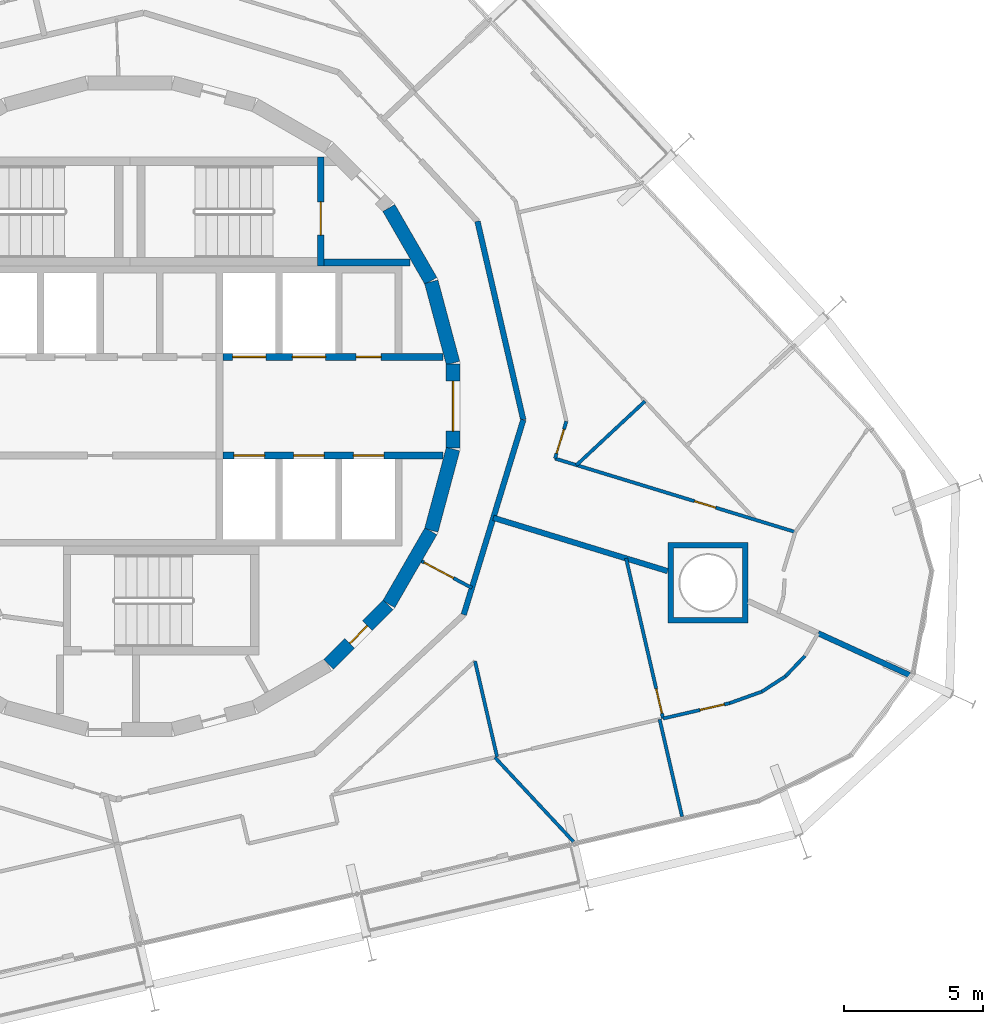
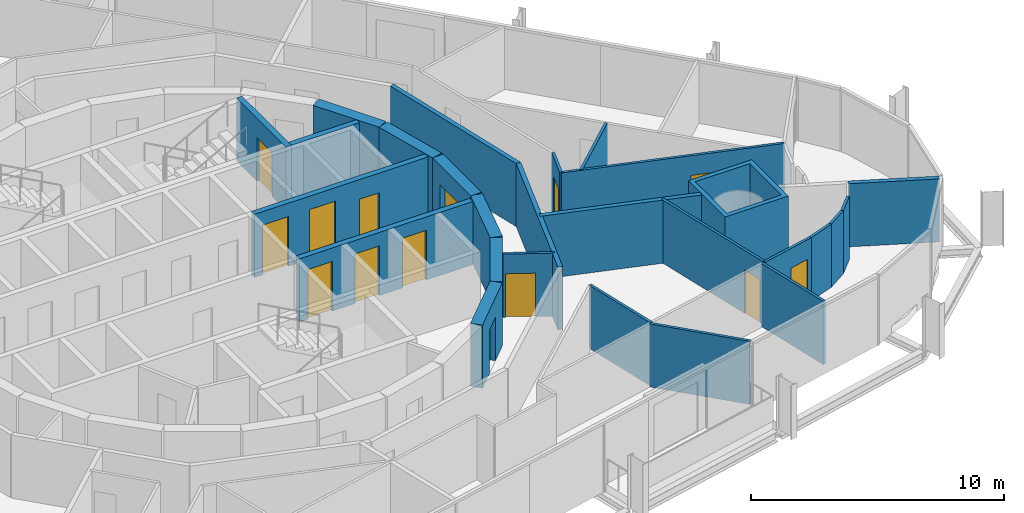
# One storey, part 14 of 18: 27 walls, 14 doors, 14 openings.
"""IFC4 building model written with IfcOpenShell, lengths in metres."""

from ifc_helpers import new_model, si_unit, direction, frame, frame_2d, origin, place, context, subcontext, project, spatial, polyline, rectangle, outline, extrude, material, layer, layer_set, type_object, element, fill, save


model = new_model("IFC4")

# Units and contexts
model_context = context("Model", 3, precision=1e-05, world=origin(), true_north=direction((0.0, 1.0)))
body_context = subcontext(model_context, "Body", "Model", "MODEL_VIEW")
ifc_project = project(units=[si_unit("LENGTHUNIT", "METRE"), si_unit("AREAUNIT", "SQUARE_METRE"), si_unit("VOLUMEUNIT", "CUBIC_METRE"), si_unit("PLANEANGLEUNIT", "RADIAN"), si_unit("MASSUNIT", "GRAM", prefix="KILO")], contexts=[model_context])

# Site, building, storey
site_placement = place(None, origin())
site = spatial("IfcSite", under=ifc_project, at=site_placement, CompositionType="ELEMENT")
building_placement = place(site_placement, origin())
building = spatial("IfcBuilding", under=site, at=building_placement, Name="Spindle Arch Residences", CompositionType="ELEMENT")
storey_placement = place(building_placement, frame((0.0, 0.0, 141.39990234375)))
storey = spatial("IfcBuildingStorey", under=building, at=storey_placement, Name="L35", CompositionType="ELEMENT", Elevation=141.39990234375)

# Wall, opening, door
ifc_material_1 = material(Name="Concrete C50/60", Category="concrete")
ifc_layer_1 = layer(ifc_material_1, 0.5)
ifc_layer_set_1 = layer_set([ifc_layer_1], Name="Core outline wall 500")
wall_type_1 = type_object("IfcWallType", Name="Core outline wall 500", PredefinedType="SHEAR", material=ifc_layer_set_1)
wall_1_placement = place(storey_placement, frame((7.163818359375, -9.30810546875, 0.0), z_axis=(0.0, 0.0, 1.0), x_axis=(0.707106781187, 0.707106781187, 0.0)))
wall_1 = element("IfcWall", 1, at=wall_1_placement, inside=storey, type_object=wall_type_1, Name="Core outline wall 3", PredefinedType="SHEAR", context=body_context, shape_type="SweptSolid", body=[
    extrude(rectangle(XDim=3.032470703125, YDim=0.5, at=frame_2d((1.51611328125, 0.0))), origin(), (0.0, 0.0, 1.0), 3.050048828125),
])
opening_1_placement = place(wall_1_placement, frame((1.06640625, 0.0, 0.0)))
opening_1 = element("IfcOpeningElement", 2, at=opening_1_placement, cuts=wall_1, Name="Opening R3C0-WD07", PredefinedType="OPENING", context=body_context, shape_type="SweptSolid", body=[
    extrude(rectangle(XDim=0.89990234375, YDim=2.10009765625, at=frame_2d((0.449951171875, 1.050048828125))), frame((0.0, 0.260009765625, 0.0), z_axis=(0.0, -1.0, 0.0), x_axis=(1.0, 0.0, 0.0)), (0.0, 0.0, 1.0), 0.52001953125),
])
ifc_material_2 = material(Name="Steel, fire-resisting door", Category="steel")
door_type_1 = type_object("IfcDoorType", Name="Service room door 900x2100", OperationType="SINGLE_SWING_LEFT", PredefinedType="DOOR", material=ifc_material_2)
door_1_placement = place(opening_1_placement, origin())
door_1 = element("IfcDoor", 3, at=door_1_placement, inside=storey, type_object=door_type_1, Name="Service room door R3C0-WD07", OperationType="SINGLE_SWING_RIGHT", OverallHeight=2.10009765625, OverallWidth=0.89990234375, PredefinedType="DOOR", context=body_context, shape_type="SweptSolid", body=[
    extrude(rectangle(XDim=0.89990234375, YDim=2.10009765625, at=frame_2d((0.449951171875, 1.050048828125))), frame((0.0, 0.02490234375, 0.0), z_axis=(0.0, -1.0, 0.0), x_axis=(1.0, 0.0, 0.0)), (0.0, 0.0, 1.0), 0.050048828125),
])
fill(opening_1, door_1)

# Walls
for number, where, z_axis, x_axis, name in (
    (4, (9.32861328125, -7.13671875, 0.0), (0.0, 0.0, 1.0), (0.500087131594, 0.865975092491, 0.0), "Core outline wall 4"),
    (5, (10.858154296875, -4.479248046875, 0.0), (0.0, 0.0, 1.0), (0.258734743916, 0.965948410781, 0.0), "Core outline wall 5"),
):
    element("IfcWall", number, at=place(storey_placement, frame(where, z_axis=z_axis, x_axis=x_axis)), inside=storey, type_object=wall_type_1, Name=name, PredefinedType="SHEAR", context=body_context, shape_type="SweptSolid", body=[
        extrude(rectangle(XDim=3.03271484375, YDim=0.5, at=frame_2d((1.516357421875, 0.0))), origin(), (0.0, 0.0, 1.0), 3.050048828125),
    ])

# Wall, opening, door
wall_2_placement = place(storey_placement, frame((11.647216796875, -1.516357421875, 0.0), z_axis=(0.0, 0.0, 1.0), x_axis=(0.0, 1.0, 0.0)))
wall_2 = element("IfcWall", 6, at=wall_2_placement, inside=storey, type_object=wall_type_1, Name="Core outline wall 6", PredefinedType="SHEAR", context=body_context, shape_type="SweptSolid", body=[
    extrude(rectangle(XDim=3.03271484375, YDim=0.5, at=frame_2d((1.516357421875, 0.0))), origin(), (0.0, 0.0, 1.0), 3.050048828125),
])
opening_2_placement = place(wall_2_placement, frame((0.6162109375, 0.0, 0.0)))
opening_2 = element("IfcOpeningElement", 7, at=opening_2_placement, cuts=wall_2, Name="Opening R3C0-FE01", PredefinedType="OPENING", context=body_context, shape_type="SweptSolid", body=[
    extrude(rectangle(XDim=1.800048828125, YDim=2.10009765625, at=frame_2d((0.89990234375, 1.050048828125))), frame((0.0, 0.260009765625, 0.0), z_axis=(0.0, -1.0, 0.0), x_axis=(1.0, 0.0, 0.0)), (0.0, 0.0, 1.0), 0.52001953125),
])
ifc_material_3 = material(Name="Steel, fire-resisting door", Category="steel")
door_type_2 = type_object("IfcDoorType", Name="Fire-lift lobby door 1800x2100", OperationType="DOUBLE_DOOR_SINGLE_SWING", PredefinedType="DOOR", material=ifc_material_3)
door_2_placement = place(opening_2_placement, origin())
door_2 = element("IfcDoor", 8, at=door_2_placement, inside=storey, type_object=door_type_2, Name="Fire-lift lobby door R3C0-FE01", OperationType="DOUBLE_DOOR_SINGLE_SWING", OverallHeight=2.10009765625, OverallWidth=1.800048828125, PredefinedType="DOOR", context=body_context, shape_type="SweptSolid", body=[
    extrude(rectangle(XDim=1.800048828125, YDim=2.10009765625, at=frame_2d((0.89990234375, 1.050048828125))), frame((0.0, 0.02490234375, 0.0), z_axis=(0.0, -1.0, 0.0), x_axis=(1.0, 0.0, 0.0)), (0.0, 0.0, 1.0), 0.050048828125),
])
fill(opening_2, door_2)

# Walls
for number, where, z_axis, x_axis, name in (
    (9, (11.642822265625, 1.5498046875, 0.0), (0.0, 0.0, 1.0), (-0.258734743916, 0.965948410781, 0.0), "Core outline wall 7"),
    (10, (10.84521484375, 4.510498046875, 0.0), (0.0, 0.0, 1.0), (-0.500087131594, 0.865975092491, 0.0), "Core outline wall 8"),
):
    element("IfcWall", number, at=place(storey_placement, frame(where, z_axis=z_axis, x_axis=x_axis)), inside=storey, type_object=wall_type_1, Name=name, PredefinedType="SHEAR", context=body_context, shape_type="SweptSolid", body=[
        extrude(rectangle(XDim=3.03271484375, YDim=0.5, at=frame_2d((1.516357421875, 0.0))), origin(), (0.0, 0.0, 1.0), 3.050048828125),
    ])

# Wall, opening, door
ifc_material_4 = material(Name="Plasterboard on steel studs", Category="steel")
ifc_layer_2 = layer(ifc_material_4, 0.1201171875)
ifc_layer_set_2 = layer_set([ifc_layer_2], Name="Corridor division wall 120")
wall_type_2 = type_object("IfcWallType", Name="Corridor division wall 120", PredefinedType="PARTITIONING", material=ifc_layer_set_2)
wall_3_placement = place(storey_placement, frame((10.510986328125, -5.5888671875, 0.0), z_axis=(0.0, 0.0, 1.0), x_axis=(0.882987820808, -0.469395897196, 0.0)))
wall_3 = element("IfcWall", 11, at=wall_3_placement, inside=storey, type_object=wall_type_2, Name="Corridor division wall R3C0-W002", PredefinedType="PARTITIONING", context=body_context, shape_type="SweptSolid", body=[
    extrude(rectangle(XDim=2.0517578125, YDim=0.1201171875, at=frame_2d((1.02587890625, 0.0))), origin(), (0.0, 0.0, 1.0), 3.050048828125),
])
opening_3_placement = place(wall_3_placement, frame((0.10009765625, 0.0, 0.0)))
opening_3 = element("IfcOpeningElement", 12, at=opening_3_placement, cuts=wall_3, Name="Opening R3C0-CD02", PredefinedType="OPENING", context=body_context, shape_type="SweptSolid", body=[
    extrude(rectangle(XDim=1.199951171875, YDim=2.10009765625, at=frame_2d((0.60009765625, 1.050048828125))), frame((0.0, 0.070068359375, 0.0), z_axis=(0.0, -1.0, 0.0), x_axis=(1.0, 0.0, 0.0)), (0.0, 0.0, 1.0), 0.14013671875),
])
ifc_material_5 = material(Name="Steel, fire-resisting door", Category="steel")
door_type_3 = type_object("IfcDoorType", Name="Corridor division door 1200x2100", OperationType="NOTDEFINED", PredefinedType="DOOR", material=ifc_material_5)
door_3_placement = place(opening_3_placement, origin())
door_3 = element("IfcDoor", 13, at=door_3_placement, inside=storey, type_object=door_type_3, Name="Corridor division door R3C0-CD02", OperationType="DOUBLE_DOOR_SINGLE_SWING", OverallHeight=2.10009765625, OverallWidth=1.199951171875, PredefinedType="DOOR", context=body_context, shape_type="SweptSolid", body=[
    extrude(rectangle(XDim=1.199951171875, YDim=2.10009765625, at=frame_2d((0.60009765625, 1.050048828125))), frame((0.0, 0.02490234375, 0.0), z_axis=(0.0, -1.0, 0.0), x_axis=(1.0, 0.0, 0.0)), (0.0, 0.0, 1.0), 0.050048828125),
])
fill(opening_3, door_3)

# Walls
ifc_material_6 = material(Name="Calcium silicate block, plastered")
ifc_layer_3 = layer(ifc_material_6, 0.199951171875)
ifc_layer_set_3 = layer_set([ifc_layer_3], Name="Corridor wall 200")
wall_type_3 = type_object("IfcWallType", Name="Corridor wall 200", PredefinedType="STANDARD", material=ifc_layer_set_3)
wall_4_placement = place(storey_placement, frame((12.028076171875, -7.51611328125, 0.0), z_axis=(0.0, 0.0, 1.0), x_axis=(0.292365533182, 0.956306642771, 0.0)))
element("IfcWall", 14, at=wall_4_placement, inside=storey, type_object=wall_type_3, Name="Corridor wall R3C0-W004", PredefinedType="STANDARD", context=body_context, shape_type="SweptSolid", body=[
    extrude(rectangle(XDim=7.341796875, YDim=0.199951171875, at=frame_2d((3.6708984375, 0.0))), origin(), (0.0, 0.0, 1.0), 3.050048828125),
])
wall_5_placement = place(storey_placement, frame((14.174560546875, -0.4951171875, 0.0), z_axis=(0.0, 0.0, 1.0), x_axis=(-0.224922649383, 0.974376622151, 0.0)))
element("IfcWall", 15, at=wall_5_placement, inside=storey, type_object=wall_type_3, Name="Corridor wall R3C0-W005", PredefinedType="STANDARD", context=body_context, shape_type="SweptSolid", body=[
    extrude(rectangle(XDim=7.342041015625, YDim=0.199951171875, at=frame_2d((3.6708984375, 0.0))), origin(), (0.0, 0.0, 1.0), 3.050048828125),
])

# Wall, openings, doors
ifc_material_7 = material(Name="Concrete C40/50", Category="concrete")
ifc_layer_4 = layer(ifc_material_7, 0.25)
ifc_layer_set_4 = layer_set([ifc_layer_4], Name="Fire-lift lobby wall 250")
wall_type_4 = type_object("IfcWallType", Name="Fire-lift lobby wall 250", PredefinedType="SHEAR", material=ifc_layer_set_4)
wall_6_placement = place(storey_placement, frame((3.35009765625, 1.77490234375, 0.0), z_axis=(0.0, 0.0, 1.0), x_axis=(1.0, 0.0, 0.0)))
wall_6 = element("IfcWall", 16, at=wall_6_placement, inside=storey, type_object=wall_type_4, Name="Lift shaft front wall NE", PredefinedType="SHEAR", context=body_context, shape_type="SweptSolid", body=[
    extrude(rectangle(XDim=7.929931640625, YDim=0.25, at=frame_2d((3.96484375, 0.0))), origin(), (0.0, 0.0, 1.0), 3.050048828125),
])
opening_4_placement = place(wall_6_placement, frame((0.35009765625, 0.0, 0.0)))
opening_4 = element("IfcOpeningElement", 17, at=opening_4_placement, cuts=wall_6, Name="Opening R3C0-SLD01", PredefinedType="OPENING", context=body_context, shape_type="SweptSolid", body=[
    extrude(rectangle(XDim=1.199951171875, YDim=2.39990234375, at=frame_2d((0.60009765625, 1.199951171875))), frame((0.0, 0.135009765625, 0.0), z_axis=(0.0, -1.0, 0.0), x_axis=(1.0, 0.0, 0.0)), (0.0, 0.0, 1.0), 0.27001953125),
])
opening_5_placement = place(wall_6_placement, frame((2.5, 0.0, 0.0)))
opening_5 = element("IfcOpeningElement", 18, at=opening_5_placement, cuts=wall_6, Name="Opening R3C0-SLD02", PredefinedType="OPENING", context=body_context, shape_type="SweptSolid", body=[
    extrude(rectangle(XDim=1.199951171875, YDim=2.39990234375, at=frame_2d((0.60009765625, 1.199951171875))), frame((0.0, 0.135009765625, 0.0), z_axis=(0.0, -1.0, 0.0), x_axis=(1.0, 0.0, 0.0)), (0.0, 0.0, 1.0), 0.27001953125),
])
opening_6_placement = place(wall_6_placement, frame((4.800048828125, 0.0, 0.0)))
opening_6 = element("IfcOpeningElement", 19, at=opening_6_placement, cuts=wall_6, Name="Opening R3C0-WD03", PredefinedType="OPENING", context=body_context, shape_type="SweptSolid", body=[
    extrude(rectangle(XDim=0.89990234375, YDim=2.10009765625, at=frame_2d((0.449951171875, 1.050048828125))), frame((0.0, 0.135009765625, 0.0), z_axis=(0.0, -1.0, 0.0), x_axis=(1.0, 0.0, 0.0)), (0.0, 0.0, 1.0), 0.27001953125),
])
ifc_material_8 = material(Name="Steel, fire-resisting landing door", Category="steel")
door_type_4 = type_object("IfcDoorType", Name="Service lift landing door 1200x2400", OperationType="DOUBLE_DOOR_SLIDING", PredefinedType="DOOR", material=ifc_material_8)
door_4_placement = place(opening_4_placement, origin())
door_4 = element("IfcDoor", 20, at=door_4_placement, inside=storey, type_object=door_type_4, Name="Service lift landing door R3C0-SLD01", OperationType="DOUBLE_DOOR_SLIDING", OverallHeight=2.39990234375, OverallWidth=1.199951171875, PredefinedType="DOOR", context=body_context, shape_type="SweptSolid", body=[
    extrude(rectangle(XDim=1.199951171875, YDim=2.39990234375, at=frame_2d((0.60009765625, 1.199951171875))), frame((0.0, 0.02490234375, 0.0), z_axis=(0.0, -1.0, 0.0), x_axis=(1.0, 0.0, 0.0)), (0.0, 0.0, 1.0), 0.050048828125),
])
fill(opening_4, door_4)
door_5_placement = place(opening_5_placement, origin())
door_5 = element("IfcDoor", 21, at=door_5_placement, inside=storey, type_object=door_type_4, Name="Service lift landing door R3C0-SLD02", OperationType="DOUBLE_DOOR_SLIDING", OverallHeight=2.39990234375, OverallWidth=1.199951171875, PredefinedType="DOOR", context=body_context, shape_type="SweptSolid", body=[
    extrude(rectangle(XDim=1.199951171875, YDim=2.39990234375, at=frame_2d((0.60009765625, 1.199951171875))), frame((0.0, 0.02490234375, 0.0), z_axis=(0.0, -1.0, 0.0), x_axis=(1.0, 0.0, 0.0)), (0.0, 0.0, 1.0), 0.050048828125),
])
fill(opening_5, door_5)
door_6_placement = place(opening_6_placement, origin())
door_6 = element("IfcDoor", 22, at=door_6_placement, inside=storey, type_object=door_type_1, Name="Service room door R3C0-WD03", OperationType="SINGLE_SWING_RIGHT", OverallHeight=2.10009765625, OverallWidth=0.89990234375, PredefinedType="DOOR", context=body_context, shape_type="SweptSolid", body=[
    extrude(rectangle(XDim=0.89990234375, YDim=2.10009765625, at=frame_2d((0.449951171875, 1.050048828125))), frame((0.0, 0.02490234375, 0.0), z_axis=(0.0, -1.0, 0.0), x_axis=(1.0, 0.0, 0.0)), (0.0, 0.0, 1.0), 0.050048828125),
])
fill(opening_6, door_6)

ifc_material_9 = material(Name="Concrete C50/60", Category="concrete")
ifc_layer_5 = layer(ifc_material_9, 0.25)
ifc_layer_set_5 = layer_set([ifc_layer_5], Name="Fire-lift shaft wall 250")
wall_type_5 = type_object("IfcWallType", Name="Fire-lift shaft wall 250", PredefinedType="SHEAR", material=ifc_layer_set_5)
wall_7_placement = place(storey_placement, frame((3.35009765625, -1.77490234375, 0.0), z_axis=(0.0, 0.0, 1.0), x_axis=(1.0, 0.0, 0.0)))
wall_7 = element("IfcWall", 23, at=wall_7_placement, inside=storey, type_object=wall_type_5, Name="Lift shaft front wall SE", PredefinedType="SHEAR", context=body_context, shape_type="SweptSolid", body=[
    extrude(rectangle(XDim=7.929931640625, YDim=0.25, at=frame_2d((3.96484375, 0.0))), origin(), (0.0, 0.0, 1.0), 3.050048828125),
])
opening_7_placement = place(wall_7_placement, frame((0.39990234375, 0.0, 0.0)))
opening_7 = element("IfcOpeningElement", 24, at=opening_7_placement, cuts=wall_7, Name="Opening R3C0-FLD01", PredefinedType="OPENING", context=body_context, shape_type="SweptSolid", body=[
    extrude(rectangle(XDim=1.10009765625, YDim=2.39990234375, at=frame_2d((0.550048828125, 1.199951171875))), frame((0.0, 0.135009765625, 0.0), z_axis=(0.0, -1.0, 0.0), x_axis=(1.0, 0.0, 0.0)), (0.0, 0.0, 1.0), 0.27001953125),
])
opening_8_placement = place(wall_7_placement, frame((2.550048828125, 0.0, 0.0)))
opening_8 = element("IfcOpeningElement", 25, at=opening_8_placement, cuts=wall_7, Name="Opening R3C0-FLD02", PredefinedType="OPENING", context=body_context, shape_type="SweptSolid", body=[
    extrude(rectangle(XDim=1.10009765625, YDim=2.39990234375, at=frame_2d((0.550048828125, 1.199951171875))), frame((0.0, 0.135009765625, 0.0), z_axis=(0.0, -1.0, 0.0), x_axis=(1.0, 0.0, 0.0)), (0.0, 0.0, 1.0), 0.27001953125),
])
opening_9_placement = place(wall_7_placement, frame((4.699951171875, 0.0, 0.0)))
opening_9 = element("IfcOpeningElement", 26, at=opening_9_placement, cuts=wall_7, Name="Opening R3C0-FLD03", PredefinedType="OPENING", context=body_context, shape_type="SweptSolid", body=[
    extrude(rectangle(XDim=1.10009765625, YDim=2.39990234375, at=frame_2d((0.550048828125, 1.199951171875))), frame((0.0, 0.135009765625, 0.0), z_axis=(0.0, -1.0, 0.0), x_axis=(1.0, 0.0, 0.0)), (0.0, 0.0, 1.0), 0.27001953125),
])
ifc_material_10 = material(Name="Steel, fire-resisting landing door", Category="steel")
door_type_5 = type_object("IfcDoorType", Name="Fire-fighting lift landing door 1100x2400", OperationType="DOUBLE_DOOR_SLIDING", PredefinedType="DOOR", material=ifc_material_10)
door_7_placement = place(opening_7_placement, origin())
door_7 = element("IfcDoor", 27, at=door_7_placement, inside=storey, type_object=door_type_5, Name="Fire-fighting lift landing door R3C0-FLD01", OperationType="DOUBLE_DOOR_SLIDING", OverallHeight=2.39990234375, OverallWidth=1.10009765625, PredefinedType="DOOR", context=body_context, shape_type="SweptSolid", body=[
    extrude(rectangle(XDim=1.10009765625, YDim=2.39990234375, at=frame_2d((0.550048828125, 1.199951171875))), frame((0.0, 0.02490234375, 0.0), z_axis=(0.0, -1.0, 0.0), x_axis=(1.0, 0.0, 0.0)), (0.0, 0.0, 1.0), 0.050048828125),
])
fill(opening_7, door_7)
door_8_placement = place(opening_8_placement, origin())
door_8 = element("IfcDoor", 28, at=door_8_placement, inside=storey, type_object=door_type_5, Name="Fire-fighting lift landing door R3C0-FLD02", OperationType="DOUBLE_DOOR_SLIDING", OverallHeight=2.39990234375, OverallWidth=1.10009765625, PredefinedType="DOOR", context=body_context, shape_type="SweptSolid", body=[
    extrude(rectangle(XDim=1.10009765625, YDim=2.39990234375, at=frame_2d((0.550048828125, 1.199951171875))), frame((0.0, 0.02490234375, 0.0), z_axis=(0.0, -1.0, 0.0), x_axis=(1.0, 0.0, 0.0)), (0.0, 0.0, 1.0), 0.050048828125),
])
fill(opening_8, door_8)
door_9_placement = place(opening_9_placement, origin())
door_9 = element("IfcDoor", 29, at=door_9_placement, inside=storey, type_object=door_type_5, Name="Fire-fighting lift landing door R3C0-FLD03", OperationType="DOUBLE_DOOR_SLIDING", OverallHeight=2.39990234375, OverallWidth=1.10009765625, PredefinedType="DOOR", context=body_context, shape_type="SweptSolid", body=[
    extrude(rectangle(XDim=1.10009765625, YDim=2.39990234375, at=frame_2d((0.550048828125, 1.199951171875))), frame((0.0, 0.02490234375, 0.0), z_axis=(0.0, -1.0, 0.0), x_axis=(1.0, 0.0, 0.0)), (0.0, 0.0, 1.0), 0.050048828125),
])
fill(opening_9, door_9)

# Wall, opening, door
ifc_material_11 = material(Name="Plasterboard on steel studs", Category="steel")
ifc_layer_6 = layer(ifc_material_11, 0.1201171875)
ifc_layer_set_6 = layer_set([ifc_layer_6], Name="Flat partition 120")
wall_type_6 = type_object("IfcWallType", Name="Flat partition 120", PredefinedType="PARTITIONING", material=ifc_layer_set_6)
wall_8_placement = place(storey_placement, frame((23.974853515625, -4.537353515625, 0.0), z_axis=(0.0, 0.0, 1.0), x_axis=(-0.956300480156, 0.292385689892, 0.0)))
wall_8 = element("IfcWall", 30, at=wall_8_placement, inside=storey, type_object=wall_type_6, Name="Flat partition R3C0-W031", PredefinedType="PARTITIONING", context=body_context, shape_type="SweptSolid", body=[
    extrude(rectangle(XDim=9.053955078125, YDim=0.1201171875, at=frame_2d((4.52685546875, 0.0))), origin(), (0.0, 0.0, 1.0), 3.050048828125),
])
opening_10_placement = place(wall_8_placement, frame((2.99755859375, 0.0, 0.0)))
opening_10 = element("IfcOpeningElement", 31, at=opening_10_placement, cuts=wall_8, Name="Opening R3C0-BD01", PredefinedType="OPENING", context=body_context, shape_type="SweptSolid", body=[
    extrude(rectangle(XDim=0.800048828125, YDim=2.10009765625, at=frame_2d((0.39990234375, 1.050048828125))), frame((0.0, 0.070068359375, 0.0), z_axis=(0.0, -1.0, 0.0), x_axis=(1.0, 0.0, 0.0)), (0.0, 0.0, 1.0), 0.14013671875),
])
ifc_material_12 = material(Name="Timber door set", Category="wood")
door_type_6 = type_object("IfcDoorType", Name="Bathroom door 800x2100", OperationType="NOTDEFINED", PredefinedType="DOOR", material=ifc_material_12)
door_10_placement = place(opening_10_placement, origin())
door_10 = element("IfcDoor", 32, at=door_10_placement, inside=storey, type_object=door_type_6, Name="Bathroom door R3C0-BD01", OperationType="SINGLE_SWING_LEFT", OverallHeight=2.10009765625, OverallWidth=0.800048828125, PredefinedType="DOOR", context=body_context, shape_type="SweptSolid", body=[
    extrude(rectangle(XDim=0.800048828125, YDim=2.10009765625, at=frame_2d((0.39990234375, 1.050048828125))), frame((0.0, 0.02490234375, 0.0), z_axis=(0.0, -1.0, 0.0), x_axis=(1.0, 0.0, 0.0)), (0.0, 0.0, 1.0), 0.050048828125),
])
fill(opening_10, door_10)

wall_9_placement = place(storey_placement, frame((15.316650390625, -1.89013671875, 0.0), z_axis=(0.0, 0.0, 1.0), x_axis=(0.292360095486, 0.956308305186, 0.0)))
wall_9 = element("IfcWall", 33, at=wall_9_placement, inside=storey, type_object=wall_type_6, Name="Flat partition R3C0-W032", PredefinedType="PARTITIONING", context=body_context, shape_type="SweptSolid", body=[
    extrude(rectangle(XDim=1.402099609375, YDim=0.1201171875, at=frame_2d((0.701171875, 0.0))), origin(), (0.0, 0.0, 1.0), 3.050048828125),
])
opening_11_placement = place(wall_9_placement, frame((0.199951171875, 0.0, 0.0)))
opening_11 = element("IfcOpeningElement", 34, at=opening_11_placement, cuts=wall_9, Name="Opening R3C0-ID01", PredefinedType="OPENING", context=body_context, shape_type="SweptSolid", body=[
    extrude(rectangle(XDim=0.89990234375, YDim=2.10009765625, at=frame_2d((0.449951171875, 1.050048828125))), frame((0.0, 0.070068359375, 0.0), z_axis=(0.0, -1.0, 0.0), x_axis=(1.0, 0.0, 0.0)), (0.0, 0.0, 1.0), 0.14013671875),
])
ifc_material_13 = material(Name="Timber door set", Category="wood")
door_type_7 = type_object("IfcDoorType", Name="Room door 900x2100", OperationType="NOTDEFINED", PredefinedType="DOOR", material=ifc_material_13)
door_11_placement = place(opening_11_placement, origin())
door_11 = element("IfcDoor", 35, at=door_11_placement, inside=storey, type_object=door_type_7, Name="Room door R3C0-ID01", OperationType="SINGLE_SWING_LEFT", OverallHeight=2.10009765625, OverallWidth=0.89990234375, PredefinedType="DOOR", context=body_context, shape_type="SweptSolid", body=[
    extrude(rectangle(XDim=0.89990234375, YDim=2.10009765625, at=frame_2d((0.449951171875, 1.050048828125))), frame((0.0, 0.02490234375, 0.0), z_axis=(0.0, -1.0, 0.0), x_axis=(1.0, 0.0, 0.0)), (0.0, 0.0, 1.0), 0.050048828125),
])
fill(opening_11, door_11)

# Walls
wall_10_placement = place(storey_placement, frame((16.0908203125, -2.126953125, 0.0), z_axis=(0.0, 0.0, 1.0), x_axis=(0.731389706697, 0.6819597473, 0.0)))
element("IfcWall", 36, at=wall_10_placement, inside=storey, type_object=wall_type_6, Name="Flat partition R3C0-W039", PredefinedType="PARTITIONING", context=body_context, shape_type="SweptSolid", body=[
    extrude(rectangle(XDim=3.37353515625, YDim=0.1201171875, at=frame_2d((1.686767578125, 0.0))), origin(), (0.0, 0.0, 1.0), 3.050048828125),
])
wall_11_placement = place(storey_placement, frame((12.43359375, -9.188720703125, 0.0), z_axis=(0.0, 0.0, 1.0), x_axis=(0.224924972887, -0.974376085796, 0.0)))
element("IfcWall", 37, at=wall_11_placement, inside=storey, type_object=wall_type_6, Name="Flat partition R3C0-W106", PredefinedType="PARTITIONING", context=body_context, shape_type="SweptSolid", body=[
    extrude(rectangle(XDim=3.540771484375, YDim=0.1201171875, at=frame_2d((1.7705078125, 0.0))), origin(), (0.0, 0.0, 1.0), 3.050048828125),
])

# Wall, opening, door
wall_12_placement = place(storey_placement, frame((19.211181640625, -11.2578125, 0.0), z_axis=(0.0, 0.0, 1.0), x_axis=(-0.22499500936, 0.974359915926, 0.0)))
wall_12 = element("IfcWall", 38, at=wall_12_placement, inside=storey, type_object=wall_type_6, Name="Flat partition R3C0-W108", PredefinedType="PARTITIONING", context=body_context, shape_type="SweptSolid", body=[
    extrude(rectangle(XDim=5.92138671875, YDim=0.1201171875, at=frame_2d((2.960693359375, 0.0))), origin(), (0.0, 0.0, 1.0), 3.050048828125),
])
opening_12_placement = place(wall_12_placement, frame((0.199951171875, 0.0, 0.0)))
opening_12 = element("IfcOpeningElement", 39, at=opening_12_placement, cuts=wall_12, Name="Opening R3C0-ID29", PredefinedType="OPENING", context=body_context, shape_type="SweptSolid", body=[
    extrude(rectangle(XDim=0.89990234375, YDim=2.10009765625, at=frame_2d((0.449951171875, 1.050048828125))), frame((0.0, 0.070068359375, 0.0), z_axis=(0.0, -1.0, 0.0), x_axis=(1.0, 0.0, 0.0)), (0.0, 0.0, 1.0), 0.14013671875),
])
door_12_placement = place(opening_12_placement, origin())
door_12 = element("IfcDoor", 40, at=door_12_placement, inside=storey, type_object=door_type_7, Name="Room door R3C0-ID29", OperationType="SINGLE_SWING_RIGHT", OverallHeight=2.10009765625, OverallWidth=0.89990234375, PredefinedType="DOOR", context=body_context, shape_type="SweptSolid", body=[
    extrude(rectangle(XDim=0.89990234375, YDim=2.10009765625, at=frame_2d((0.449951171875, 1.050048828125))), frame((0.0, 0.02490234375, 0.0), z_axis=(0.0, -1.0, 0.0), x_axis=(1.0, 0.0, 0.0)), (0.0, 0.0, 1.0), 0.050048828125),
])
fill(opening_12, door_12)

# Walls
wall_13_placement = place(storey_placement, frame((15.984619140625, -15.697509765625, 0.0), z_axis=(0.0, 0.0, 1.0), x_axis=(-0.681979185924, 0.731371581322, 0.0)))
element("IfcWall", 41, at=wall_13_placement, inside=storey, type_object=wall_type_6, Name="Flat partition R3C0-W109", PredefinedType="PARTITIONING", context=body_context, shape_type="SweptSolid", body=[
    extrude(rectangle(XDim=4.156982421875, YDim=0.1201171875, at=frame_2d((2.07861328125, 0.0))), origin(), (0.0, 0.0, 1.0), 3.050048828125),
])
wall_14_placement = place(storey_placement, frame((19.896240234375, -14.794189453125, 0.0), z_axis=(0.0, 0.0, 1.0), x_axis=(-0.224958568294, 0.974368330023, 0.0)))
element("IfcWall", 42, at=wall_14_placement, inside=storey, type_object=wall_type_6, Name="Flat partition R3C0-W110", PredefinedType="PARTITIONING", context=body_context, shape_type="SweptSolid", body=[
    extrude(rectangle(XDim=3.599853515625, YDim=0.1201171875, at=frame_2d((1.7998046875, 0.0))), origin(), (0.0, 0.0, 1.0), 3.050048828125),
])
for number, where, z_axis, x_axis, name in (
    (43, (24.324462890625, -9.001708984375, 0.0), (0.0, 0.0, 1.0), (-0.690452883014, -0.723377367864, 0.0), "Flat partition R3C0-W112"),
    (44, (23.623046875, -9.736572265625, 0.0), (0.0, 0.0, 1.0), (-0.838718041084, -0.544565925816, 0.0), "Flat partition R3C0-W113"),
):
    element("IfcWall", number, at=place(storey_placement, frame(where, z_axis=z_axis, x_axis=x_axis)), inside=storey, type_object=wall_type_6, Name=name, PredefinedType="PARTITIONING", context=body_context, shape_type="SweptSolid", body=[
        extrude(rectangle(XDim=1.015869140625, YDim=0.1201171875, at=frame_2d((0.5078125, 0.0))), origin(), (0.0, 0.0, 1.0), 3.050048828125),
    ])
wall_15_placement = place(storey_placement, frame((22.77099609375, -10.289794921875, 0.0), z_axis=(0.0, 0.0, 1.0), x_axis=(-0.941701391526, -0.336449831623, 0.0)))
element("IfcWall", 45, at=wall_15_placement, inside=storey, type_object=wall_type_6, Name="Flat partition R3C0-W114", PredefinedType="PARTITIONING", context=body_context, shape_type="SweptSolid", body=[
    extrude(rectangle(XDim=1.22705078125, YDim=0.1201171875, at=frame_2d((0.613525390625, 0.0))), origin(), (0.0, 0.0, 1.0), 3.050048828125),
])

# Wall, opening, door
wall_16_placement = place(storey_placement, frame((21.615478515625, -10.70263671875, 0.0), z_axis=(0.0, 0.0, 1.0), x_axis=(-0.974361171506, -0.224989571893, 0.0)))
wall_16 = element("IfcWall", 46, at=wall_16_placement, inside=storey, type_object=wall_type_6, Name="Flat partition R3C0-W115", PredefinedType="PARTITIONING", context=body_context, shape_type="SweptSolid", body=[
    extrude(rectangle(XDim=2.467529296875, YDim=0.1201171875, at=frame_2d((1.23388671875, 0.0))), origin(), (0.0, 0.0, 1.0), 3.050048828125),
])
opening_13_placement = place(wall_16_placement, frame((0.199951171875, 0.0, 0.0)))
opening_13 = element("IfcOpeningElement", 47, at=opening_13_placement, cuts=wall_16, Name="Opening R3C0-ID30", PredefinedType="OPENING", context=body_context, shape_type="SweptSolid", body=[
    extrude(rectangle(XDim=0.89990234375, YDim=2.10009765625, at=frame_2d((0.449951171875, 1.050048828125))), frame((0.0, 0.070068359375, 0.0), z_axis=(0.0, -1.0, 0.0), x_axis=(1.0, 0.0, 0.0)), (0.0, 0.0, 1.0), 0.14013671875),
])
door_13_placement = place(opening_13_placement, origin())
door_13 = element("IfcDoor", 48, at=door_13_placement, inside=storey, type_object=door_type_7, Name="Room door R3C0-ID30", OperationType="SINGLE_SWING_RIGHT", OverallHeight=2.10009765625, OverallWidth=0.89990234375, PredefinedType="DOOR", context=body_context, shape_type="SweptSolid", body=[
    extrude(rectangle(XDim=0.89990234375, YDim=2.10009765625, at=frame_2d((0.449951171875, 1.050048828125))), frame((0.0, 0.02490234375, 0.0), z_axis=(0.0, -1.0, 0.0), x_axis=(1.0, 0.0, 0.0)), (0.0, 0.0, 1.0), 0.050048828125),
])
fill(opening_13, door_13)

# Walls
ifc_material_14 = material(Name="Calcium silicate block, plastered")
ifc_layer_7 = layer(ifc_material_14, 0.199951171875)
ifc_layer_set_7 = layer_set([ifc_layer_7], Name="Flat party wall 200")
wall_type_7 = type_object("IfcWallType", Name="Flat party wall 200", PredefinedType="STANDARD", material=ifc_layer_set_7)
wall_17_placement = place(storey_placement, frame((13.09521484375, -4.025634765625, 0.0), z_axis=(0.0, 0.0, 1.0), x_axis=(0.956303942966, -0.292374363904, 0.0)))
element("IfcWall", 49, at=wall_17_placement, inside=storey, type_object=wall_type_7, Name="Flat party wall R3C0-W017", PredefinedType="STANDARD", context=body_context, shape_type="SweptSolid", body=[
    extrude(rectangle(XDim=6.5673828125, YDim=0.199951171875, at=frame_2d((3.28369140625, 0.0))), origin(), (0.0, 0.0, 1.0), 3.050048828125),
])
wall_18_placement = place(storey_placement, frame((24.8017578125, -8.18603515625, 0.0), z_axis=(0.0, 0.0, 1.0), x_axis=(0.909307466213, -0.416124899387, 0.0)))
element("IfcWall", 50, at=wall_18_placement, inside=storey, type_object=wall_type_7, Name="Flat party wall R3C0-W020", PredefinedType="STANDARD", context=body_context, shape_type="SweptSolid", body=[
    extrude(rectangle(XDim=3.6181640625, YDim=0.199951171875, at=frame_2d((1.80908203125, 0.0))), origin(), (0.0, 0.0, 1.0), 3.050048828125),
])
ifc_material_15 = material(Name="Calcium silicate block, plastered")
ifc_layer_8 = layer(ifc_material_15, 0.199951171875)
ifc_layer_set_8 = layer_set([ifc_layer_8], Name="Mega-column casing wall 200")
wall_type_8 = type_object("IfcWallType", Name="Mega-column casing wall 200", PredefinedType="STANDARD", material=ifc_layer_set_8)
wall_19_placement = place(storey_placement, origin())
element("IfcWall", 51, at=wall_19_placement, inside=storey, type_object=wall_type_8, Name="Mega-column casing wall R3C0-WC03", PredefinedType="STANDARD", context=body_context, shape_type="SweptSolid", body=[
    extrude(outline(polyline([(22.280029296875, -4.91845703125), (22.280029296875, -7.818359375), (19.3798828125, -7.818359375), (19.3798828125, -4.91845703125), (22.280029296875, -4.91845703125)]), holes=[polyline([(19.580078125, -7.618408203125), (22.080078125, -7.618408203125), (22.080078125, -5.118408203125), (19.580078125, -5.118408203125), (19.580078125, -7.618408203125)])]), origin(), (0.0, 0.0, 1.0), 3.050048828125),
])
ifc_material_16 = material(Name="Concrete C40/50", Category="concrete")
ifc_layer_9 = layer(ifc_material_16, 0.25)
ifc_layer_set_9 = layer_set([ifc_layer_9], Name="Stair airlock wall 250")
wall_type_9 = type_object("IfcWallType", Name="Stair airlock wall 250", PredefinedType="SHEAR", material=ifc_layer_set_9)
wall_20_placement = place(storey_placement, frame((7.0, 5.175048828125, 0.0), z_axis=(0.0, 0.0, 1.0), x_axis=(1.0, 0.0, 0.0)))
element("IfcWall", 52, at=wall_20_placement, inside=storey, type_object=wall_type_9, Name="Stair ST-1 airlock wall S", PredefinedType="SHEAR", context=body_context, shape_type="SweptSolid", body=[
    extrude(rectangle(XDim=3.10009765625, YDim=0.25, at=frame_2d((1.550048828125, 0.0))), origin(), (0.0, 0.0, 1.0), 3.050048828125),
])

# Wall, opening, door
ifc_material_17 = material(Name="Concrete C50/60", Category="concrete")
ifc_layer_10 = layer(ifc_material_17, 0.25)
ifc_layer_set_10 = layer_set([ifc_layer_10], Name="Stair enclosure wall 250")
wall_type_10 = type_object("IfcWallType", Name="Stair enclosure wall 250", PredefinedType="SHEAR", material=ifc_layer_set_10)
wall_21_placement = place(storey_placement, frame((6.875, 5.050048828125, 0.0), z_axis=(0.0, 0.0, 1.0), x_axis=(0.0, 1.0, 0.0)))
wall_21 = element("IfcWall", 53, at=wall_21_placement, inside=storey, type_object=wall_type_10, Name="Stair ST-1 door wall", PredefinedType="SHEAR", context=body_context, shape_type="SweptSolid", body=[
    extrude(rectangle(XDim=3.919921875, YDim=0.25, at=frame_2d((1.9599609375, 0.0))), origin(), (0.0, 0.0, 1.0), 3.050048828125),
])
opening_14_placement = place(wall_21_placement, frame((1.110107421875, 0.0, 0.0)))
opening_14 = element("IfcOpeningElement", 54, at=opening_14_placement, cuts=wall_21, Name="Opening R3C0-SD01", PredefinedType="OPENING", context=body_context, shape_type="SweptSolid", body=[
    extrude(rectangle(XDim=1.199951171875, YDim=2.10009765625, at=frame_2d((0.60009765625, 1.050048828125))), frame((0.0, 0.135009765625, 0.0), z_axis=(0.0, -1.0, 0.0), x_axis=(1.0, 0.0, 0.0)), (0.0, 0.0, 1.0), 0.27001953125),
])
ifc_material_18 = material(Name="Steel, fire-resisting door", Category="steel")
door_type_8 = type_object("IfcDoorType", Name="Stair door 1200x2100", OperationType="SINGLE_SWING_RIGHT", PredefinedType="DOOR", material=ifc_material_18)
door_14_placement = place(opening_14_placement, origin())
door_14 = element("IfcDoor", 55, at=door_14_placement, inside=storey, type_object=door_type_8, Name="Stair door R3C0-SD01", OperationType="SINGLE_SWING_LEFT", OverallHeight=2.10009765625, OverallWidth=1.199951171875, PredefinedType="DOOR", context=body_context, shape_type="SweptSolid", body=[
    extrude(rectangle(XDim=1.199951171875, YDim=2.10009765625, at=frame_2d((0.60009765625, 1.050048828125))), frame((0.0, 0.02490234375, 0.0), z_axis=(0.0, -1.0, 0.0), x_axis=(1.0, 0.0, 0.0)), (0.0, 0.0, 1.0), 0.050048828125),
])
fill(opening_14, door_14)

save(model, "model.ifc")
